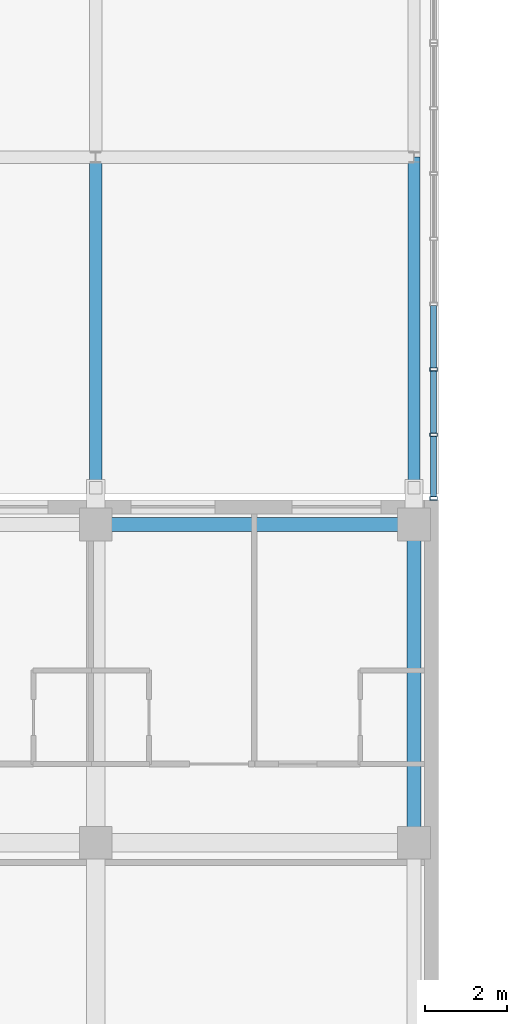
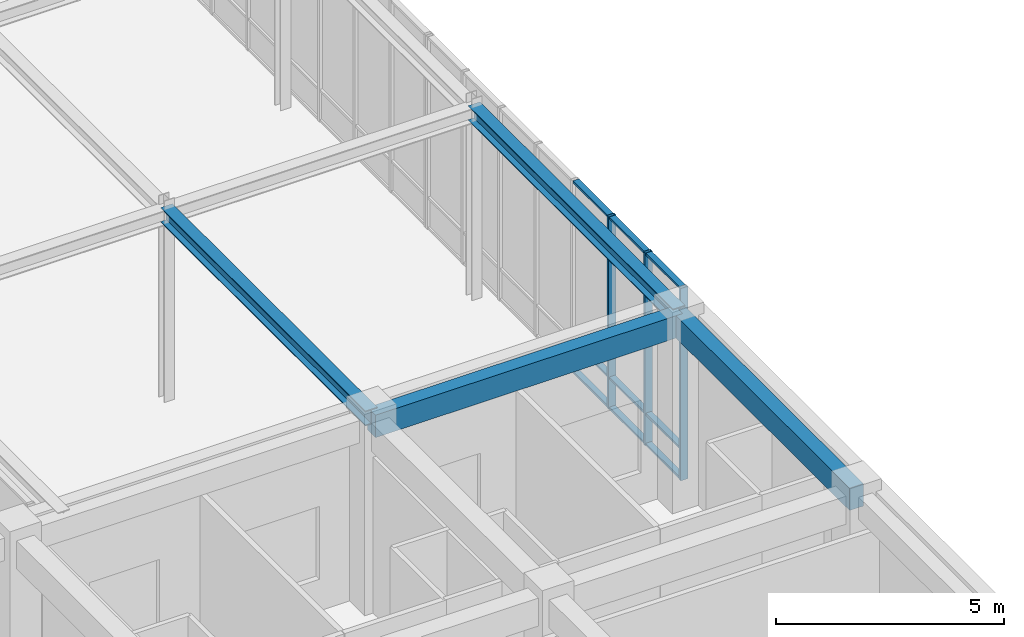
# One storey, part 20 of 139: 12 members, 4 beams, 1 element without a shape of its own.
"""IFC4 building model written with IfcOpenShell, lengths in metres."""

from ifc_helpers import new_model, si_unit, direction, frame, origin, origin_2d, place, context, subcontext, project, spatial, rectangle, hollow_rectangle, i_section, extrude, material, layer, layer_set, material_profile, profile_set, type_object, element, aggregate, save


model = new_model("IFC4")

# Units and contexts
model_context = context("Model", 3, precision=1e-05, world=origin(), true_north=direction((0.0, 1.0)))
body_context = subcontext(model_context, "Body", "Model", "MODEL_VIEW")
ifc_project = project(units=[si_unit("LENGTHUNIT", "METRE"), si_unit("AREAUNIT", "SQUARE_METRE"), si_unit("VOLUMEUNIT", "CUBIC_METRE"), si_unit("PLANEANGLEUNIT", "RADIAN"), si_unit("MASSUNIT", "GRAM", prefix="KILO")], contexts=[model_context])

# Site, building, storey
site_placement = place(None, origin())
site = spatial("IfcSite", under=ifc_project, at=site_placement, CompositionType="ELEMENT")
building_placement = place(site_placement, origin())
building = spatial("IfcBuilding", under=site, at=building_placement, Name="Zayran Congress Hotel", CompositionType="ELEMENT")
storey_placement = place(building_placement, frame((0.0, 0.0, 5.39990234375)))
storey = spatial("IfcBuildingStorey", under=building, at=storey_placement, Name="L01", CompositionType="ELEMENT", Elevation=5.39990234375)

# Beams
ifc_material_1 = material(Name="Concrete C40/50", Category="concrete")
ifc_material_profile_1 = material_profile(ifc_material_1, rectangle(XDim=0.35009765625, YDim=0.60009765625, at=origin_2d()), Name="RC 350x600")
ifc_profile_set_1 = profile_set([ifc_material_profile_1], Name="Concrete C40/50")
beam_type_1 = type_object("IfcBeamType", Name="TP-SP-01", PredefinedType="SPANDREL", material=ifc_profile_set_1)
beam_1_placement = place(storey_placement, frame((84.0, 33.39990234375, 4.800048828125), z_axis=(1.0, 0.0, 0.0), x_axis=(0.0, 1.0, 0.0)))
element("IfcBeam", 1, at=beam_1_placement, inside=storey, type_object=beam_type_1, Name="BM-V5-L01-1725", PredefinedType="SPANDREL", context=body_context, shape_type="SweptSolid", body=[
    extrude(rectangle(XDim=0.35009765625, YDim=0.60009765625, at=origin_2d()), origin(), (0.0, 0.0, 1.0), 7.800048828125),
])
beam_2_placement = place(storey_placement, frame((91.800048828125, 25.60009765625, 4.800048828125), z_axis=(0.0, 1.0, 0.0), x_axis=(-1.0, 0.0, 0.0)))
element("IfcBeam", 2, at=beam_2_placement, inside=storey, type_object=beam_type_1, Name="BM-V5-L01-1767", PredefinedType="SPANDREL", context=body_context, shape_type="SweptSolid", body=[
    extrude(rectangle(XDim=0.35009765625, YDim=0.60009765625, at=origin_2d()), origin(), (0.0, 0.0, 1.0), 7.7998046875),
])
ifc_material_2 = material(Name="Steel S355", Category="steel")
ifc_material_profile_2 = material_profile(ifc_material_2, i_section(OverallWidth=0.300048828125, OverallDepth=0.39990234375, WebThickness=0.013427734375, FlangeThickness=0.02392578125, at=origin_2d()), Name="HEB 400")
ifc_profile_set_2 = profile_set([ifc_material_profile_2], Name="Steel S355")
beam_type_2 = type_object("IfcBeamType", Name="TP-BM-10", PredefinedType="BEAM", material=ifc_profile_set_2)
for number, where, z_axis, x_axis, name in (
    (3, (84.0, 33.39990234375, 4.960205078125), (0.0, 1.0, 0.0), (-1.0, 0.0, 0.0), "BM-BR2Y-L01-2468"),
    (4, (91.800048828125, 33.39990234375, 4.960205078125), (0.0, 1.0, 0.0), (-1.0, 0.0, 0.0), "BM-BR2Y-L01-2472"),
):
    element("IfcBeam", number, at=place(storey_placement, frame(where, z_axis=z_axis, x_axis=x_axis)), inside=storey, type_object=beam_type_2, Name=name, PredefinedType="BEAM", context=body_context, shape_type="SweptSolid", body=[
        extrude(i_section(OverallWidth=0.300048828125, OverallDepth=0.39990234375, WebThickness=0.013427734375, FlangeThickness=0.02392578125, at=origin_2d()), origin(), (0.0, 0.0, 1.0), 9.0),
    ])

# Curtain wall, members
ifc_material_3 = material(Name="Anodised aluminium and low-E insulated glass", Category="aluminium")
ifc_layer = layer(ifc_material_3, 0.179931640625)
ifc_layer_set = layer_set([ifc_layer], Name="Anodised aluminium and low-E insulated glass")
curtain_wall_type = type_object("IfcCurtainWallType", Name="CW-BR2-L01-CW-BR2-11200-5160", PredefinedType="USERDEFINED", material=ifc_layer_set)
curtain_wall_placement = place(storey_placement, origin())
curtain_wall = element("IfcCurtainWall", 5, at=curtain_wall_placement, inside=storey, type_object=curtain_wall_type, Name="CW-BR2E-L01-0", ObjectType="CURTAIN WALL", PredefinedType="USERDEFINED")
ifc_material_4 = material(Name="Anodised aluminium framing", Category="aluminium")
ifc_material_profile_3 = material_profile(ifc_material_4, hollow_rectangle(XDim=0.080078125, YDim=0.179931640625, WallThickness=0.0048828125, at=origin_2d()), Name="RHS 180x80x5")
ifc_profile_set_3 = profile_set([ifc_material_profile_3], Name="Anodised aluminium framing")
member_type_1 = type_object("IfcMemberType", Name="TP-CWM-01", PredefinedType="MULLION", material=ifc_profile_set_3)
member_1_placement = place(storey_placement, frame((92.280029296875, 34.0400390625, 0.0), z_axis=(0.0, 0.0, 1.0), x_axis=(0.0, 1.0, 0.0)))
member_1 = element("IfcMember", 6, at=member_1_placement, type_object=member_type_1, Name="CW-BR2E-L01-0-M00", PredefinedType="MULLION", context=body_context, shape_type="SweptSolid", body=[
    extrude(hollow_rectangle(XDim=0.080078125, YDim=0.179931640625, WallThickness=0.0048828125, at=origin_2d()), origin(), (0.0, 0.0, 1.0), 5.16015625),
])
member_2_placement = place(storey_placement, frame((92.280029296875, 35.60009765625, 0.0), z_axis=(0.0, 0.0, 1.0), x_axis=(0.0, 1.0, 0.0)))
member_2 = element("IfcMember", 7, at=member_2_placement, type_object=member_type_1, Name="CW-BR2E-L01-0-M01", PredefinedType="MULLION", context=body_context, shape_type="SweptSolid", body=[
    extrude(hollow_rectangle(XDim=0.080078125, YDim=0.179931640625, WallThickness=0.0048828125, at=origin_2d()), origin(), (0.0, 0.0, 1.0), 5.16015625),
])
member_3_placement = place(storey_placement, frame((92.280029296875, 37.199951171875, 0.0), z_axis=(0.0, 0.0, 1.0), x_axis=(0.0, 1.0, 0.0)))
member_3 = element("IfcMember", 8, at=member_3_placement, type_object=member_type_1, Name="CW-BR2E-L01-0-M02", PredefinedType="MULLION", context=body_context, shape_type="SweptSolid", body=[
    extrude(hollow_rectangle(XDim=0.080078125, YDim=0.179931640625, WallThickness=0.0048828125, at=origin_2d()), origin(), (0.0, 0.0, 1.0), 5.16015625),
])
ifc_material_profile_4 = material_profile(ifc_material_4, hollow_rectangle(XDim=0.06005859375, YDim=0.14990234375, WallThickness=0.00390625, at=origin_2d()), Name="RHS 150x60x4")
ifc_profile_set_4 = profile_set([ifc_material_profile_4], Name="Anodised aluminium framing")
member_type_2 = type_object("IfcMemberType", Name="TP-CWT-01", PredefinedType="USERDEFINED", material=ifc_profile_set_4)
member_4_placement = place(storey_placement, frame((92.280029296875, 34.080078125, 0.030029296875), z_axis=(0.0, 1.0, 0.0), x_axis=(0.0, 0.0, 1.0)))
member_4 = element("IfcMember", 9, at=member_4_placement, type_object=member_type_2, Name="CW-BR2E-L01-0-T00-0", ObjectType="TRANSOM", PredefinedType="USERDEFINED", context=body_context, shape_type="SweptSolid", body=[
    extrude(hollow_rectangle(XDim=0.06005859375, YDim=0.14990234375, WallThickness=0.00390625, at=origin_2d()), origin(), (0.0, 0.0, 1.0), 1.47998046875),
])
member_5_placement = place(storey_placement, frame((92.280029296875, 34.080078125, 0.840087890625), z_axis=(0.0, 1.0, 0.0), x_axis=(0.0, 0.0, 1.0)))
member_5 = element("IfcMember", 10, at=member_5_placement, type_object=member_type_2, Name="CW-BR2E-L01-0-T00-1", ObjectType="TRANSOM", PredefinedType="USERDEFINED", context=body_context, shape_type="SweptSolid", body=[
    extrude(hollow_rectangle(XDim=0.06005859375, YDim=0.14990234375, WallThickness=0.00390625, at=origin_2d()), origin(), (0.0, 0.0, 1.0), 1.47998046875),
])
member_6_placement = place(storey_placement, frame((92.280029296875, 34.080078125, 5.130126953125), z_axis=(0.0, 1.0, 0.0), x_axis=(0.0, 0.0, 1.0)))
member_6 = element("IfcMember", 11, at=member_6_placement, type_object=member_type_2, Name="CW-BR2E-L01-0-T00-2", ObjectType="TRANSOM", PredefinedType="USERDEFINED", context=body_context, shape_type="SweptSolid", body=[
    extrude(hollow_rectangle(XDim=0.06005859375, YDim=0.14990234375, WallThickness=0.00390625, at=origin_2d()), origin(), (0.0, 0.0, 1.0), 1.47998046875),
])
member_7_placement = place(storey_placement, frame((92.280029296875, 35.639892578125, 0.030029296875), z_axis=(0.0, 1.0, 0.0), x_axis=(0.0, 0.0, 1.0)))
member_7 = element("IfcMember", 12, at=member_7_placement, type_object=member_type_2, Name="CW-BR2E-L01-0-T01-0", ObjectType="TRANSOM", PredefinedType="USERDEFINED", context=body_context, shape_type="SweptSolid", body=[
    extrude(hollow_rectangle(XDim=0.06005859375, YDim=0.14990234375, WallThickness=0.00390625, at=origin_2d()), origin(), (0.0, 0.0, 1.0), 1.52001953125),
])
member_8_placement = place(storey_placement, frame((92.280029296875, 35.639892578125, 0.840087890625), z_axis=(0.0, 1.0, 0.0), x_axis=(0.0, 0.0, 1.0)))
member_8 = element("IfcMember", 13, at=member_8_placement, type_object=member_type_2, Name="CW-BR2E-L01-0-T01-1", ObjectType="TRANSOM", PredefinedType="USERDEFINED", context=body_context, shape_type="SweptSolid", body=[
    extrude(hollow_rectangle(XDim=0.06005859375, YDim=0.14990234375, WallThickness=0.00390625, at=origin_2d()), origin(), (0.0, 0.0, 1.0), 1.52001953125),
])
member_9_placement = place(storey_placement, frame((92.280029296875, 35.639892578125, 5.130126953125), z_axis=(0.0, 1.0, 0.0), x_axis=(0.0, 0.0, 1.0)))
member_9 = element("IfcMember", 14, at=member_9_placement, type_object=member_type_2, Name="CW-BR2E-L01-0-T01-2", ObjectType="TRANSOM", PredefinedType="USERDEFINED", context=body_context, shape_type="SweptSolid", body=[
    extrude(hollow_rectangle(XDim=0.06005859375, YDim=0.14990234375, WallThickness=0.00390625, at=origin_2d()), origin(), (0.0, 0.0, 1.0), 1.52001953125),
])
member_10_placement = place(storey_placement, frame((92.280029296875, 37.239990234375, 0.030029296875), z_axis=(0.0, 1.0, 0.0), x_axis=(0.0, 0.0, 1.0)))
member_10 = element("IfcMember", 15, at=member_10_placement, type_object=member_type_2, Name="CW-BR2E-L01-0-T02-0", ObjectType="TRANSOM", PredefinedType="USERDEFINED", context=body_context, shape_type="SweptSolid", body=[
    extrude(hollow_rectangle(XDim=0.06005859375, YDim=0.14990234375, WallThickness=0.00390625, at=origin_2d()), origin(), (0.0, 0.0, 1.0), 1.52001953125),
])
member_11_placement = place(storey_placement, frame((92.280029296875, 37.239990234375, 0.840087890625), z_axis=(0.0, 1.0, 0.0), x_axis=(0.0, 0.0, 1.0)))
member_11 = element("IfcMember", 16, at=member_11_placement, type_object=member_type_2, Name="CW-BR2E-L01-0-T02-1", ObjectType="TRANSOM", PredefinedType="USERDEFINED", context=body_context, shape_type="SweptSolid", body=[
    extrude(hollow_rectangle(XDim=0.06005859375, YDim=0.14990234375, WallThickness=0.00390625, at=origin_2d()), origin(), (0.0, 0.0, 1.0), 1.52001953125),
])
member_12_placement = place(storey_placement, frame((92.280029296875, 37.239990234375, 5.130126953125), z_axis=(0.0, 1.0, 0.0), x_axis=(0.0, 0.0, 1.0)))
member_12 = element("IfcMember", 17, at=member_12_placement, type_object=member_type_2, Name="CW-BR2E-L01-0-T02-2", ObjectType="TRANSOM", PredefinedType="USERDEFINED", context=body_context, shape_type="SweptSolid", body=[
    extrude(hollow_rectangle(XDim=0.06005859375, YDim=0.14990234375, WallThickness=0.00390625, at=origin_2d()), origin(), (0.0, 0.0, 1.0), 1.52001953125),
])
aggregate(curtain_wall, [member_1, member_2, member_3, member_4, member_5, member_6, member_7, member_8, member_9, member_10, member_11, member_12])

save(model, "model.ifc")
